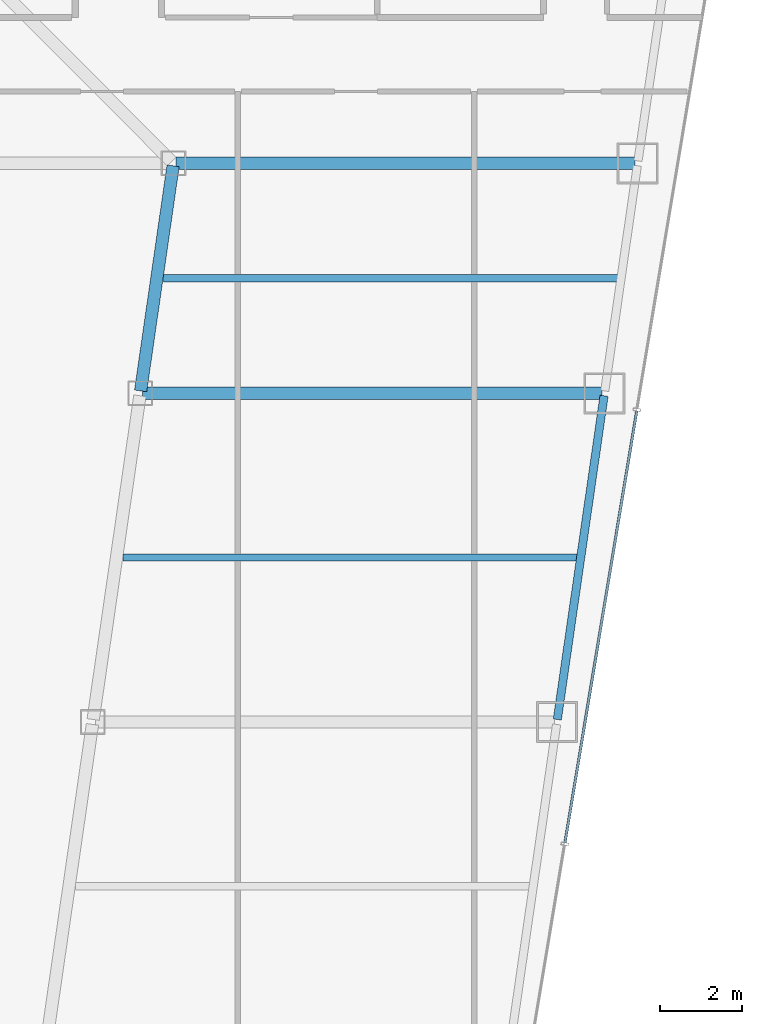
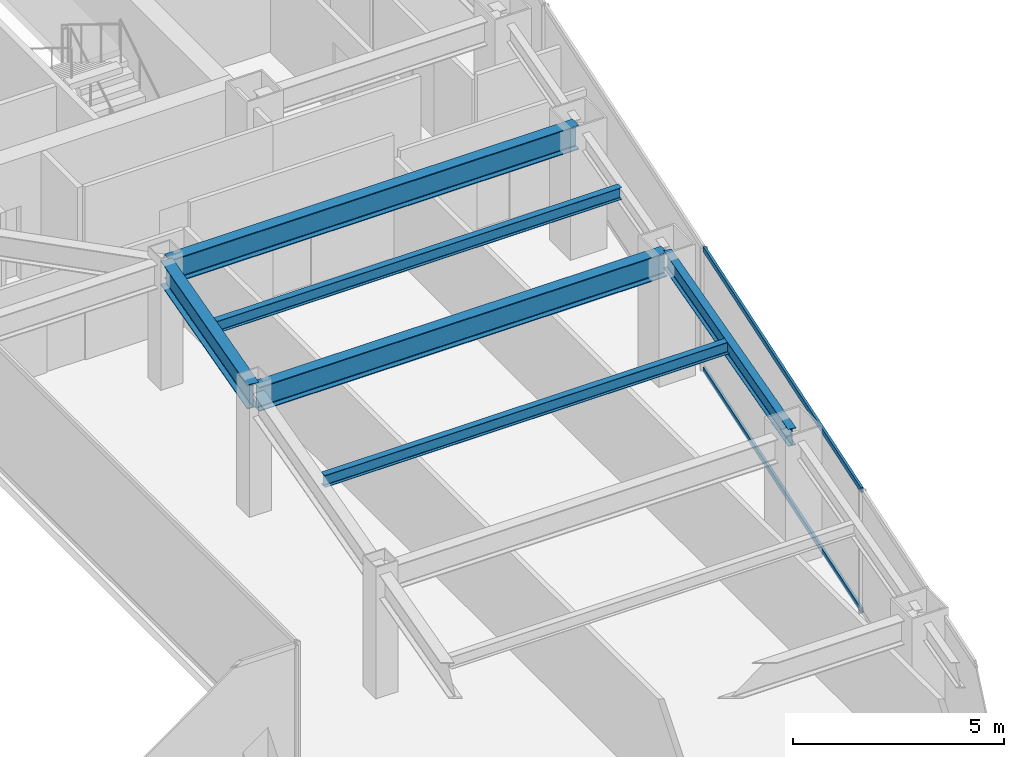
# One storey, part 17 of 36: 6 beams, 2 members, 1 element without a shape of its own.
"""IFC4 building model written with IfcOpenShell, lengths in metres."""

from ifc_helpers import new_model, si_unit, direction, frame, origin, origin_2d, place, context, subcontext, project, spatial, hollow_rectangle, i_section, extrude, material, material_profile, profile_set, type_object, element, aggregate, save


model = new_model("IFC4")

# Units and contexts
model_context = context("Model", 3, precision=1e-05, world=origin(), true_north=direction((0.0, 1.0)))
body_context = subcontext(model_context, "Body", "Model", "MODEL_VIEW")
ifc_project = project(units=[si_unit("LENGTHUNIT", "METRE"), si_unit("AREAUNIT", "SQUARE_METRE"), si_unit("VOLUMEUNIT", "CUBIC_METRE"), si_unit("PLANEANGLEUNIT", "RADIAN"), si_unit("MASSUNIT", "GRAM", prefix="KILO")], contexts=[model_context])

# Site, building, storey
site_placement = place(None, origin())
site = spatial("IfcSite", under=ifc_project, at=site_placement, CompositionType="ELEMENT")
building_placement = place(site_placement, origin())
building = spatial("IfcBuilding", under=site, at=building_placement, Name="Saevonmaru Cultural Tower", CompositionType="ELEMENT")
storey_placement = place(building_placement, frame((0.0, 0.0, 156.199951171875)))
storey = spatial("IfcBuildingStorey", under=building, at=storey_placement, Name="L34", CompositionType="ELEMENT", Elevation=156.199951171875)

# Beams
ifc_material_1 = material(Name="Steel SM355", Category="steel")
ifc_material_profile_1 = material_profile(ifc_material_1, i_section(OverallWidth=0.300048828125, OverallDepth=0.699951171875, WebThickness=0.012939453125, FlangeThickness=0.02392578125, FilletRadius=0.02587890625, at=origin_2d()), Name="H-700x300x13x24")
ifc_profile_set_1 = profile_set([ifc_material_profile_1], Name="Steel SM355")
beam_type_1 = type_object("IfcBeamType", Name="BM-G-H700", PredefinedType="BEAM", material=ifc_profile_set_1)
beam_1_placement = place(storey_placement, frame((40.3916015625, 32.059326171875, 3.199951171875), z_axis=(0.142964121327, 0.989727871697, 0.0), x_axis=(-0.989727871697, 0.142964121327, 0.0)))
element("IfcBeam", 1, at=beam_1_placement, inside=storey, type_object=beam_type_1, Name="L34 East Atrium Girder 4", PredefinedType="BEAM", context=body_context, shape_type="SweptSolid", body=[
    extrude(i_section(OverallWidth=0.300048828125, OverallDepth=0.699951171875, WebThickness=0.012939453125, FlangeThickness=0.02392578125, FilletRadius=0.02587890625, at=origin_2d()), origin(), (0.0, 0.0, 1.0), 5.5380859375),
])
for number, where, z_axis, x_axis, name in (
    (2, (40.443115234375, 32.0, 3.199951171875), (1.0, 0.0, 0.0), (0.0, 1.0, 0.0), "L34 East Wing Transverse Girder 4"),
    (3, (41.251953125, 37.60009765625, 3.199951171875), (1.0, 0.0, 0.0), (0.0, 1.0, 0.0), "L34 East Wing Transverse Girder 5"),
):
    element("IfcBeam", number, at=place(storey_placement, frame(where, z_axis=z_axis, x_axis=x_axis)), inside=storey, type_object=beam_type_1, Name=name, PredefinedType="BEAM", context=body_context, shape_type="SweptSolid", body=[
        extrude(i_section(OverallWidth=0.300048828125, OverallDepth=0.699951171875, WebThickness=0.012939453125, FlangeThickness=0.02392578125, FilletRadius=0.02587890625, at=origin_2d()), origin(), (0.0, 0.0, 1.0), 11.179931640625),
    ])
ifc_material_profile_2 = material_profile(ifc_material_1, i_section(OverallWidth=0.175048828125, OverallDepth=0.35009765625, WebThickness=0.007080078125, FlangeThickness=0.010986328125, FilletRadius=0.012939453125, at=origin_2d()), Name="H-350x175x7x11")
ifc_profile_set_2 = profile_set([ifc_material_profile_2], Name="Steel SM355")
beam_type_2 = type_object("IfcBeamType", Name="BM-J-H350", PredefinedType="JOIST", material=ifc_profile_set_2)
for number, where, z_axis, x_axis, name in (
    (4, (39.96337890625, 28.0, 3.375), (1.0, 0.0, 0.0), (0.0, 1.0, 0.0), "L34 East Wing Floor Joist 3"),
    (5, (40.945556640625, 34.800048828125, 3.375), (1.0, 0.0, 0.0), (0.0, 1.0, 0.0), "L34 East Wing Floor Joist 4"),
):
    element("IfcBeam", number, at=place(storey_placement, frame(where, z_axis=z_axis, x_axis=x_axis)), inside=storey, type_object=beam_type_2, Name=name, PredefinedType="JOIST", context=body_context, shape_type="SweptSolid", body=[
        extrude(i_section(OverallWidth=0.175048828125, OverallDepth=0.35009765625, WebThickness=0.007080078125, FlangeThickness=0.010986328125, FilletRadius=0.012939453125, at=origin_2d()), origin(), (0.0, 0.0, 1.0), 11.08203125),
    ])
ifc_material_profile_3 = material_profile(ifc_material_1, i_section(OverallWidth=0.199951171875, OverallDepth=0.5, WebThickness=0.010009765625, FlangeThickness=0.01611328125, FilletRadius=0.02001953125, at=origin_2d()), Name="H-500x200x10x16")
ifc_profile_set_3 = profile_set([ifc_material_profile_3], Name="Steel SM355")
beam_type_3 = type_object("IfcBeamType", Name="BM-SP-H500", PredefinedType="SPANDREL", material=ifc_profile_set_3)
beam_2_placement = place(storey_placement, frame((50.53662109375, 24.059326171875, 3.300048828125), z_axis=(0.142871999001, 0.989741174197, 0.0), x_axis=(-0.989741174197, 0.142871999001, 0.0)))
element("IfcBeam", 6, at=beam_2_placement, inside=storey, type_object=beam_type_3, Name="L34 East Splayed Spandrel 3", PredefinedType="SPANDREL", context=body_context, shape_type="SweptSolid", body=[
    extrude(i_section(OverallWidth=0.199951171875, OverallDepth=0.5, WebThickness=0.010009765625, FlangeThickness=0.01611328125, FilletRadius=0.02001953125, at=origin_2d()), origin(), (0.0, 0.0, 1.0), 7.963134765625),
])

# Curtain wall, members
ifc_material_2 = material(Name="Satin Bronze Anodised Aluminium", Category="aluminium")
curtain_wall_type = type_object("IfcCurtainWallType", Name="CW-TYP-A", PredefinedType="NOTDEFINED", material=ifc_material_2)
curtain_wall_placement = place(storey_placement, origin())
curtain_wall = element("IfcCurtainWall", 7, at=curtain_wall_placement, inside=storey, type_object=curtain_wall_type, Name="L34 Unitised Curtain Wall E8", PredefinedType="NOTDEFINED")
ifc_material_profile_4 = material_profile(ifc_material_2, hollow_rectangle(XDim=0.06494140625, YDim=0.14990234375, WallThickness=0.00390625, at=origin_2d()), Name="ALU-TRAN-150x65x4")
ifc_profile_set_4 = profile_set([ifc_material_profile_4], Name="Satin Bronze Anodised Aluminium")
member_type = type_object("IfcMemberType", Name="TR-CW-150x65", PredefinedType="USERDEFINED", material=ifc_profile_set_4)
member_1_placement = place(storey_placement, frame((50.7236328125, 21.061767578125, 0.032470703125), z_axis=(0.163993787386, 0.98646137162, 0.0), x_axis=(-0.98646137162, 0.163993787386, 0.0)))
member_1 = element("IfcMember", 8, at=member_1_placement, type_object=member_type, Name="CW-TW-L34-E8 transom 2.1", ObjectType="TRANSOM", PredefinedType="USERDEFINED", context=body_context, shape_type="SweptSolid", body=[
    extrude(hollow_rectangle(XDim=0.06494140625, YDim=0.14990234375, WallThickness=0.00390625, at=origin_2d()), origin(), (0.0, 0.0, 1.0), 10.650390625),
])
member_2_placement = place(storey_placement, frame((50.7236328125, 21.061767578125, 3.517578125), z_axis=(0.163993787386, 0.98646137162, 0.0), x_axis=(-0.98646137162, 0.163993787386, 0.0)))
member_2 = element("IfcMember", 9, at=member_2_placement, type_object=member_type, Name="CW-TW-L34-E8 transom 2.2", ObjectType="TRANSOM", PredefinedType="USERDEFINED", context=body_context, shape_type="SweptSolid", body=[
    extrude(hollow_rectangle(XDim=0.06494140625, YDim=0.14990234375, WallThickness=0.00390625, at=origin_2d()), origin(), (0.0, 0.0, 1.0), 10.650390625),
])
aggregate(curtain_wall, [member_1, member_2])

save(model, "model.ifc")
